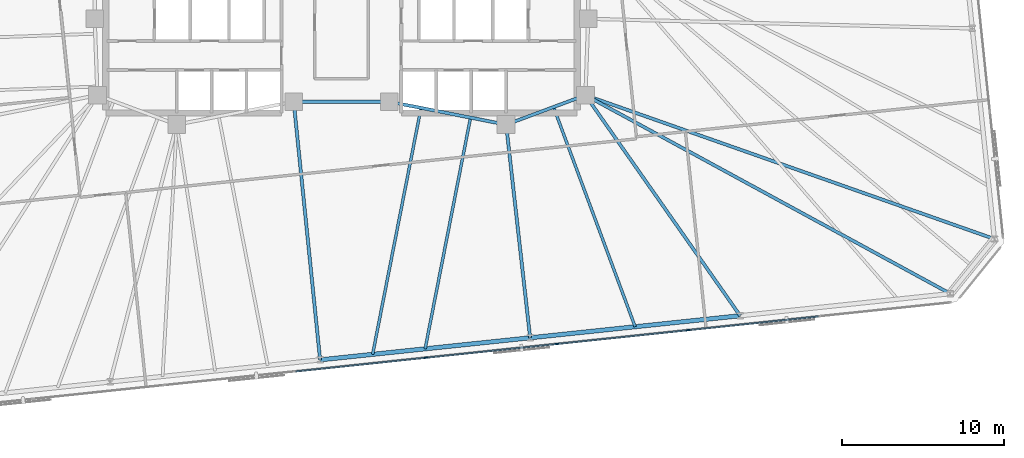
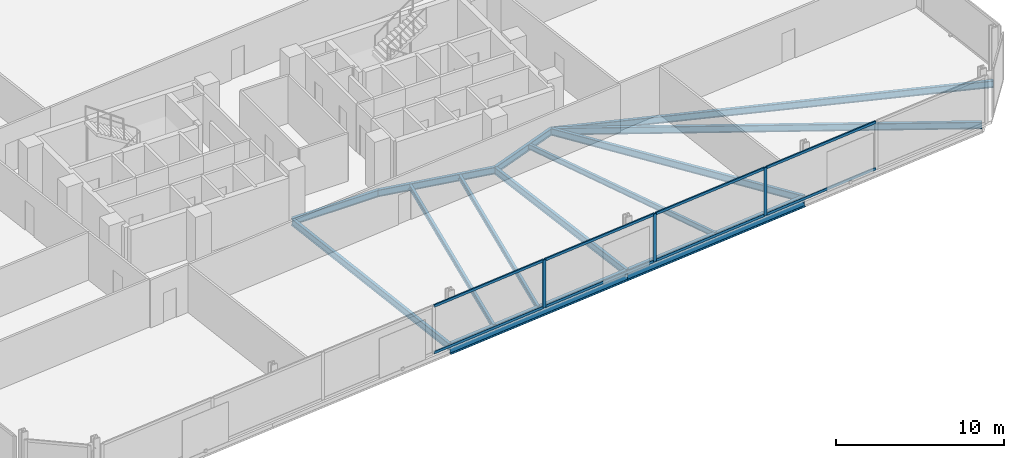
# One storey, part 7 of 18: 13 beams, 11 members, 1 element without a shape of its own.
"""IFC4 building model written with IfcOpenShell, lengths in metres."""

from ifc_helpers import new_model, si_unit, direction, frame, origin, origin_2d, place, context, subcontext, project, spatial, rectangle, i_section, extrude, material, material_profile, profile_set, type_object, element, aggregate, save


model = new_model("IFC4")

# Units and contexts
model_context = context("Model", 3, precision=1e-05, world=origin(), true_north=direction((0.0, 1.0)))
body_context = subcontext(model_context, "Body", "Model", "MODEL_VIEW")
ifc_project = project(units=[si_unit("LENGTHUNIT", "METRE"), si_unit("AREAUNIT", "SQUARE_METRE"), si_unit("VOLUMEUNIT", "CUBIC_METRE"), si_unit("PLANEANGLEUNIT", "RADIAN"), si_unit("MASSUNIT", "GRAM", prefix="KILO")], contexts=[model_context])

# Site, building, storey
site_placement = place(None, origin())
site = spatial("IfcSite", under=ifc_project, at=site_placement, CompositionType="ELEMENT")
building_placement = place(site_placement, origin())
building = spatial("IfcBuilding", under=site, at=building_placement, Name="Menara Jurai Vektor", CompositionType="ELEMENT")
storey_placement = place(building_placement, frame((0.0, 0.0, 135.5)))
storey = spatial("IfcBuildingStorey", under=building, at=storey_placement, Name="L34", CompositionType="ELEMENT", Elevation=135.5)

# Curtain wall, members
ifc_material_1 = material(Name="Anodised Pale Aluminium & Low-E Double Glazing", Category="aluminium")
curtain_wall_type = type_object("IfcCurtainWallType", Name="CW-BLK2", PredefinedType="NOTDEFINED", material=ifc_material_1)
curtain_wall_placement = place(storey_placement, origin())
curtain_wall = element("IfcCurtainWall", 1, at=curtain_wall_placement, inside=storey, type_object=curtain_wall_type, Name="Unitised Curtain Wall L34 F01", PredefinedType="NOTDEFINED")
ifc_material_2 = material(Name="Anodised Pale Aluminium Mullion", Category="aluminium")
ifc_material_profile_1 = material_profile(ifc_material_2, rectangle(XDim=0.090087890625, YDim=0.219970703125, at=origin_2d()), Name="ALU MUL 90x220")
ifc_profile_set_1 = profile_set([ifc_material_profile_1], Name="Anodised Pale Aluminium Mullion")
member_type_1 = type_object("IfcMemberType", Name="CW-BLK2-MUL", PredefinedType="MULLION", material=ifc_profile_set_1)
member_1_placement = place(storey_placement, frame((5.230224609375, -20.72265625, 0.0), z_axis=(0.0, 0.0, 1.0), x_axis=(-0.104528634935, 0.994521877325, 0.0)))
member_1 = element("IfcMember", 2, at=member_1_placement, type_object=member_type_1, Name="CW-02 mullion 5", PredefinedType="MULLION", context=body_context, shape_type="SweptSolid", body=[
    extrude(rectangle(XDim=0.090087890625, YDim=0.219970703125, at=origin_2d()), origin(), (0.0, 0.0, 1.0), 3.47509765625),
])
member_2_placement = place(storey_placement, frame((13.328125, -19.87158203125, 0.0), z_axis=(0.0, 0.0, 1.0), x_axis=(-0.104528634935, 0.994521877325, 0.0)))
member_2 = element("IfcMember", 3, at=member_2_placement, type_object=member_type_1, Name="CW-02 mullion 6", PredefinedType="MULLION", context=body_context, shape_type="SweptSolid", body=[
    extrude(rectangle(XDim=0.090087890625, YDim=0.219970703125, at=origin_2d()), origin(), (0.0, 0.0, 1.0), 3.47509765625),
])
member_3_placement = place(storey_placement, frame((21.426025390625, -19.020263671875, 0.0), z_axis=(0.0, 0.0, 1.0), x_axis=(-0.104528634935, 0.994521877325, 0.0)))
member_3 = element("IfcMember", 4, at=member_3_placement, type_object=member_type_1, Name="CW-02 mullion 7", PredefinedType="MULLION", context=body_context, shape_type="SweptSolid", body=[
    extrude(rectangle(XDim=0.090087890625, YDim=0.219970703125, at=origin_2d()), origin(), (0.0, 0.0, 1.0), 3.47509765625),
])
ifc_material_3 = material(Name="Anodised Pale Aluminium Transom", Category="aluminium")
ifc_material_profile_2 = material_profile(ifc_material_3, rectangle(XDim=0.090087890625, YDim=0.18505859375, at=origin_2d()), Name="ALU TRN 90x185")
ifc_profile_set_2 = profile_set([ifc_material_profile_2], Name="Anodised Pale Aluminium Transom")
member_type_2 = type_object("IfcMemberType", Name="CW-BLK2-TRN", PredefinedType="USERDEFINED", material=ifc_profile_set_2)
member_4_placement = place(storey_placement, frame((-2.82275390625, -21.569091796875, 0.044921875), z_axis=(0.994520726373, 0.10453958492, 0.0), x_axis=(-0.10453958492, 0.994520726373, 0.0)))
member_4 = element("IfcMember", 5, at=member_4_placement, type_object=member_type_2, Name="CW-02 transom 4.1", ObjectType="TRANSOM", PredefinedType="USERDEFINED", context=body_context, shape_type="SweptSolid", body=[
    extrude(rectangle(XDim=0.090087890625, YDim=0.18505859375, at=origin_2d()), origin(), (0.0, 0.0, 1.0), 8.052490234375),
])
member_5_placement = place(storey_placement, frame((-2.82275390625, -21.569091796875, 3.429931640625), z_axis=(0.994520726373, 0.10453958492, 0.0), x_axis=(-0.10453958492, 0.994520726373, 0.0)))
member_5 = element("IfcMember", 6, at=member_5_placement, type_object=member_type_2, Name="CW-02 transom 4.2", ObjectType="TRANSOM", PredefinedType="USERDEFINED", context=body_context, shape_type="SweptSolid", body=[
    extrude(rectangle(XDim=0.090087890625, YDim=0.18505859375, at=origin_2d()), origin(), (0.0, 0.0, 1.0), 8.052490234375),
])
member_6_placement = place(storey_placement, frame((5.275146484375, -20.718017578125, 0.044921875), z_axis=(0.994520726373, 0.10453958492, 0.0), x_axis=(-0.10453958492, 0.994520726373, 0.0)))
member_6 = element("IfcMember", 7, at=member_6_placement, type_object=member_type_2, Name="CW-02 transom 5.1", ObjectType="TRANSOM", PredefinedType="USERDEFINED", context=body_context, shape_type="SweptSolid", body=[
    extrude(rectangle(XDim=0.090087890625, YDim=0.18505859375, at=origin_2d()), origin(), (0.0, 0.0, 1.0), 8.052490234375),
])
member_7_placement = place(storey_placement, frame((5.275146484375, -20.718017578125, 3.429931640625), z_axis=(0.994520726373, 0.10453958492, 0.0), x_axis=(-0.10453958492, 0.994520726373, 0.0)))
member_7 = element("IfcMember", 8, at=member_7_placement, type_object=member_type_2, Name="CW-02 transom 5.2", ObjectType="TRANSOM", PredefinedType="USERDEFINED", context=body_context, shape_type="SweptSolid", body=[
    extrude(rectangle(XDim=0.090087890625, YDim=0.18505859375, at=origin_2d()), origin(), (0.0, 0.0, 1.0), 8.052490234375),
])
member_8_placement = place(storey_placement, frame((13.373046875, -19.86669921875, 0.044921875), z_axis=(0.99452387809, 0.104509597213, 0.0), x_axis=(-0.104509597213, 0.99452387809, 0.0)))
member_8 = element("IfcMember", 9, at=member_8_placement, type_object=member_type_2, Name="CW-02 transom 6.1", ObjectType="TRANSOM", PredefinedType="USERDEFINED", context=body_context, shape_type="SweptSolid", body=[
    extrude(rectangle(XDim=0.090087890625, YDim=0.18505859375, at=origin_2d()), origin(), (0.0, 0.0, 1.0), 8.052490234375),
])
member_9_placement = place(storey_placement, frame((13.373046875, -19.86669921875, 3.429931640625), z_axis=(0.99452387809, 0.104509597213, 0.0), x_axis=(-0.104509597213, 0.99452387809, 0.0)))
member_9 = element("IfcMember", 10, at=member_9_placement, type_object=member_type_2, Name="CW-02 transom 6.2", ObjectType="TRANSOM", PredefinedType="USERDEFINED", context=body_context, shape_type="SweptSolid", body=[
    extrude(rectangle(XDim=0.090087890625, YDim=0.18505859375, at=origin_2d()), origin(), (0.0, 0.0, 1.0), 8.052490234375),
])
member_10_placement = place(storey_placement, frame((21.470947265625, -19.015625, 0.044921875), z_axis=(0.994520726373, 0.10453958492, 0.0), x_axis=(-0.10453958492, 0.994520726373, 0.0)))
member_10 = element("IfcMember", 11, at=member_10_placement, type_object=member_type_2, Name="CW-02 transom 7.1", ObjectType="TRANSOM", PredefinedType="USERDEFINED", context=body_context, shape_type="SweptSolid", body=[
    extrude(rectangle(XDim=0.090087890625, YDim=0.18505859375, at=origin_2d()), origin(), (0.0, 0.0, 1.0), 8.052490234375),
])
member_11_placement = place(storey_placement, frame((21.470947265625, -19.015625, 3.429931640625), z_axis=(0.994520726373, 0.10453958492, 0.0), x_axis=(-0.10453958492, 0.994520726373, 0.0)))
member_11 = element("IfcMember", 12, at=member_11_placement, type_object=member_type_2, Name="CW-02 transom 7.2", ObjectType="TRANSOM", PredefinedType="USERDEFINED", context=body_context, shape_type="SweptSolid", body=[
    extrude(rectangle(XDim=0.090087890625, YDim=0.18505859375, at=origin_2d()), origin(), (0.0, 0.0, 1.0), 8.052490234375),
])
aggregate(curtain_wall, [member_1, member_2, member_3, member_4, member_5, member_6, member_7, member_8, member_9, member_10, member_11])

# Beams
ifc_material_4 = material(Name="Steel S355", Category="steel")
ifc_material_profile_3 = material_profile(ifc_material_4, i_section(OverallWidth=0.199951171875, OverallDepth=0.5, WebThickness=0.011962890625, FlangeThickness=0.02001953125, at=origin_2d()), Name="PG 500x200x96")
ifc_profile_set_3 = profile_set([ifc_material_profile_3], Name="Steel S355")
beam_type_1 = type_object("IfcBeamType", Name="STR-BM-500", PredefinedType="BEAM", material=ifc_profile_set_3)
beam_1_placement = place(storey_placement, frame((10.179931640625, -6.320068359375, -0.47509765625), z_axis=(0.937424400887, 0.348188874925, 0.0), x_axis=(-0.348188874925, 0.937424400887, 0.0)))
element("IfcBeam", 13, at=beam_1_placement, inside=storey, type_object=beam_type_1, Name="Core Ring Header Girder L34-CHE-S1", PredefinedType="BEAM", context=body_context, shape_type="SweptSolid", body=[
    extrude(i_section(OverallWidth=0.199951171875, OverallDepth=0.5, WebThickness=0.011962890625, FlangeThickness=0.02001953125, at=origin_2d()), origin(), (0.0, 0.0, 1.0), 5.227294921875),
])
beam_2_placement = place(storey_placement, frame((2.949951171875, -4.89990234375, -0.47509765625), z_axis=(0.981249044334, -0.192744164614, 0.0), x_axis=(0.192744164614, 0.981249044334, 0.0)))
element("IfcBeam", 14, at=beam_2_placement, inside=storey, type_object=beam_type_1, Name="Core Ring Header Girder L34-CHE-S2", PredefinedType="BEAM", context=body_context, shape_type="SweptSolid", body=[
    extrude(i_section(OverallWidth=0.199951171875, OverallDepth=0.5, WebThickness=0.011962890625, FlangeThickness=0.02001953125, at=origin_2d()), origin(), (0.0, 0.0, 1.0), 7.3681640625),
])
beam_3_placement = place(storey_placement, frame((-2.949951171875, -4.89990234375, -0.47509765625), z_axis=(1.0, 0.0, 0.0), x_axis=(0.0, 1.0, 0.0)))
element("IfcBeam", 15, at=beam_3_placement, inside=storey, type_object=beam_type_1, Name="Core Ring Header Girder L34-CC-1", PredefinedType="BEAM", context=body_context, shape_type="SweptSolid", body=[
    extrude(i_section(OverallWidth=0.199951171875, OverallDepth=0.5, WebThickness=0.011962890625, FlangeThickness=0.02001953125, at=origin_2d()), origin(), (0.0, 0.0, 1.0), 5.89990234375),
])
beam_4_placement = place(storey_placement, frame((-1.31689453125, -20.85791015625, -0.47509765625), z_axis=(-0.101802947506, 0.994804583765, 0.0), x_axis=(-0.994804583765, -0.101802947506, 0.0)))
element("IfcBeam", 16, at=beam_4_placement, inside=storey, type_object=beam_type_1, Name="Radial Floor Girder L34-S3", PredefinedType="BEAM", context=body_context, shape_type="SweptSolid", body=[
    extrude(i_section(OverallWidth=0.199951171875, OverallDepth=0.5, WebThickness=0.011962890625, FlangeThickness=0.02001953125, at=origin_2d()), origin(), (0.0, 0.0, 1.0), 16.041259765625),
])
beam_5_placement = place(storey_placement, frame((11.66259765625, -19.493408203125, -0.47509765625), z_axis=(-0.111844331087, 0.99372573963, 0.0), x_axis=(-0.99372573963, -0.111844331087, 0.0)))
element("IfcBeam", 17, at=beam_5_placement, inside=storey, type_object=beam_type_1, Name="Radial Floor Girder L34-S4", PredefinedType="BEAM", context=body_context, shape_type="SweptSolid", body=[
    extrude(i_section(OverallWidth=0.199951171875, OverallDepth=0.5, WebThickness=0.011962890625, FlangeThickness=0.02001953125, at=origin_2d()), origin(), (0.0, 0.0, 1.0), 13.256591796875),
])
beam_6_placement = place(storey_placement, frame((24.64208984375, -18.12939453125, -0.47509765625), z_axis=(-0.574326112611, 0.818626603754, 0.0), x_axis=(-0.818626603754, -0.574326112611, 0.0)))
element("IfcBeam", 18, at=beam_6_placement, inside=storey, type_object=beam_type_1, Name="Radial Floor Girder L34-S5", PredefinedType="BEAM", context=body_context, shape_type="SweptSolid", body=[
    extrude(i_section(OverallWidth=0.199951171875, OverallDepth=0.5, WebThickness=0.011962890625, FlangeThickness=0.02001953125, at=origin_2d()), origin(), (0.0, 0.0, 1.0), 16.649169921875),
])
beam_7_placement = place(storey_placement, frame((37.621826171875, -16.76513671875, -0.47509765625), z_axis=(-0.878392468416, 0.477940029115, 0.0), x_axis=(-0.477940029115, -0.878392468416, 0.0)))
element("IfcBeam", 19, at=beam_7_placement, inside=storey, type_object=beam_type_1, Name="Radial Floor Girder L34-S6", PredefinedType="BEAM", context=body_context, shape_type="SweptSolid", body=[
    extrude(i_section(OverallWidth=0.199951171875, OverallDepth=0.5, WebThickness=0.011962890625, FlangeThickness=0.02001953125, at=origin_2d()), origin(), (0.0, 0.0, 1.0), 25.66259765625),
])
beam_8_placement = place(storey_placement, frame((40.356201171875, -13.388671875, -0.47509765625), z_axis=(-0.943368219745, 0.331747497315, 0.0), x_axis=(-0.331747497315, -0.943368219745, 0.0)))
element("IfcBeam", 20, at=beam_8_placement, inside=storey, type_object=beam_type_1, Name="Radial Floor Girder L34-E1", PredefinedType="BEAM", context=body_context, shape_type="SweptSolid", body=[
    extrude(i_section(OverallWidth=0.199951171875, OverallDepth=0.5, WebThickness=0.011962890625, FlangeThickness=0.02001953125, at=origin_2d()), origin(), (0.0, 0.0, 1.0), 26.79345703125),
])
ifc_material_profile_4 = material_profile(ifc_material_4, i_section(OverallWidth=0.175048828125, OverallDepth=0.3798828125, WebThickness=0.010009765625, FlangeThickness=0.014892578125, at=origin_2d()), Name="PG 380x175x58")
ifc_profile_set_4 = profile_set([ifc_material_profile_4], Name="Steel S355")
beam_type_2 = type_object("IfcBeamType", Name="STR-JS-380", PredefinedType="JOIST", material=ifc_profile_set_4)
beam_9_placement = place(storey_placement, frame((1.927978515625, -20.5166015625, -0.4150390625), z_axis=(0.192720963177, 0.981253601447, 0.0), x_axis=(-0.981253601447, 0.192720963177, 0.0)))
element("IfcBeam", 21, at=beam_9_placement, inside=storey, type_object=beam_type_2, Name="Radial Secondary Floor Joist L34-JS06", PredefinedType="JOIST", context=body_context, shape_type="SweptSolid", body=[
    extrude(i_section(OverallWidth=0.175048828125, OverallDepth=0.3798828125, WebThickness=0.010009765625, FlangeThickness=0.014892578125, at=origin_2d()), origin(), (0.0, 0.0, 1.0), 15.52099609375),
])
beam_10_placement = place(storey_placement, frame((5.1728515625, -20.175537109375, -0.4150390625), z_axis=(0.192719646422, 0.98125386006, 0.0), x_axis=(-0.98125386006, 0.192719646422, 0.0)))
element("IfcBeam", 22, at=beam_10_placement, inside=storey, type_object=beam_type_2, Name="Radial Secondary Floor Joist L34-JS07", PredefinedType="JOIST", context=body_context, shape_type="SweptSolid", body=[
    extrude(i_section(OverallWidth=0.175048828125, OverallDepth=0.3798828125, WebThickness=0.010009765625, FlangeThickness=0.014892578125, at=origin_2d()), origin(), (0.0, 0.0, 1.0), 14.560791015625),
])
beam_11_placement = place(storey_placement, frame((18.15234375, -18.811279296875, -0.4150390625), z_axis=(-0.348188645432, 0.937424486128, 0.0), x_axis=(-0.937424486128, -0.348188645432, 0.0)))
element("IfcBeam", 23, at=beam_11_placement, inside=storey, type_object=beam_type_2, Name="Radial Secondary Floor Joist L34-JS08", PredefinedType="JOIST", context=body_context, shape_type="SweptSolid", body=[
    extrude(i_section(OverallWidth=0.175048828125, OverallDepth=0.3798828125, WebThickness=0.010009765625, FlangeThickness=0.014892578125, at=origin_2d()), origin(), (0.0, 0.0, 1.0), 14.485595703125),
])
ifc_material_5 = material(Name="Steel S460", Category="steel")
ifc_material_profile_5 = material_profile(ifc_material_5, i_section(OverallWidth=0.26806640625, OverallDepth=0.77001953125, WebThickness=0.01611328125, FlangeThickness=0.02490234375, FilletRadius=0.01708984375, at=origin_2d()), Name="UKB 762x267x197")
ifc_profile_set_5 = profile_set([ifc_material_profile_5], Name="Steel S460")
beam_type_3 = type_object("IfcBeamType", Name="STR-SP-762", PredefinedType="SPANDREL", material=ifc_profile_set_5)
for number, where, z_axis, x_axis, name in (
    (24, (-1.31689453125, -20.85791015625, -0.610107421875), (0.994519486762, 0.104551377088, 0.0), (-0.104551377088, 0.994519486762, 0.0), "Exoskeleton Spandrel Beam L34-03"),
    (25, (11.66259765625, -19.493408203125, -0.610107421875), (0.99452337626, 0.104514372567, 0.0), (-0.104514372567, 0.99452337626, 0.0), "Exoskeleton Spandrel Beam L34-04"),
):
    element("IfcBeam", number, at=place(storey_placement, frame(where, z_axis=z_axis, x_axis=x_axis)), inside=storey, type_object=beam_type_3, Name=name, PredefinedType="SPANDREL", context=body_context, shape_type="SweptSolid", body=[
        extrude(i_section(OverallWidth=0.26806640625, OverallDepth=0.77001953125, WebThickness=0.01611328125, FlangeThickness=0.02490234375, FilletRadius=0.01708984375, at=origin_2d()), origin(), (0.0, 0.0, 1.0), 13.051025390625),
    ])

save(model, "model.ifc")
